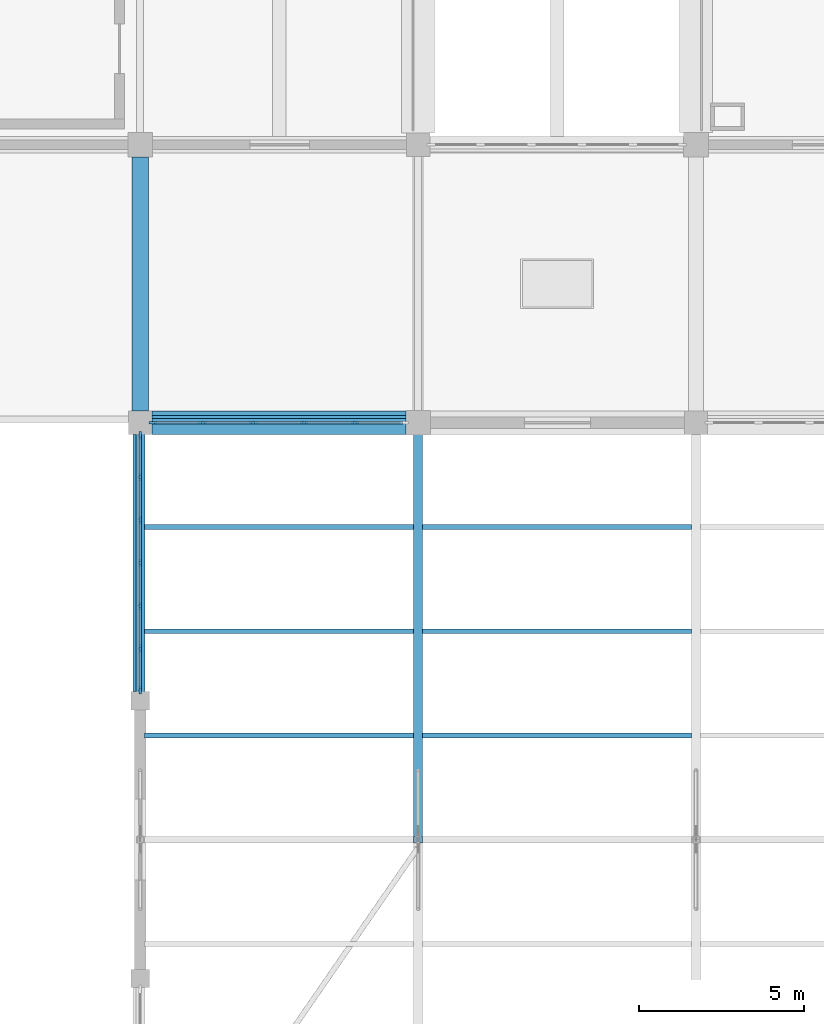
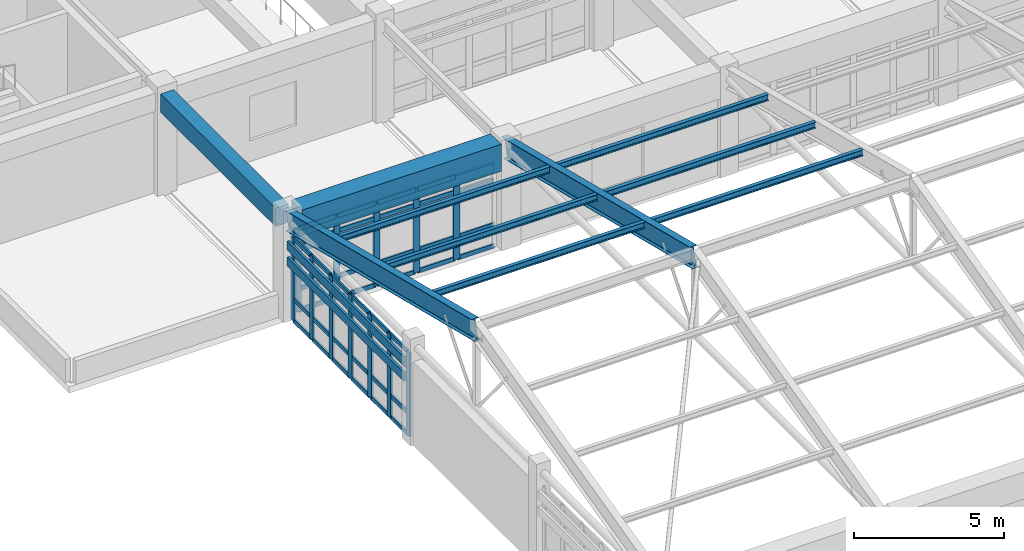
# One storey, part 15 of 99: 64 members, 4 beams, 2 elements without a shape of their own.
"""IFC4 building model written with IfcOpenShell, lengths in metres."""

from ifc_helpers import new_model, si_unit, direction, frame, origin, origin_2d, place, context, subcontext, project, spatial, rectangle, i_section, extrude, material, layer, layer_set, material_profile, profile_set, type_object, element, aggregate, save


model = new_model("IFC4")

# Units and contexts
model_context = context("Model", 3, precision=1e-05, world=origin(), true_north=direction((0.0, 1.0)))
body_context = subcontext(model_context, "Body", "Model", "MODEL_VIEW")
ifc_project = project(units=[si_unit("LENGTHUNIT", "METRE"), si_unit("AREAUNIT", "SQUARE_METRE"), si_unit("VOLUMEUNIT", "CUBIC_METRE"), si_unit("PLANEANGLEUNIT", "RADIAN"), si_unit("MASSUNIT", "GRAM", prefix="KILO")], contexts=[model_context])

# Site, building, storey
site_placement = place(None, origin())
site = spatial("IfcSite", under=ifc_project, at=site_placement, CompositionType="ELEMENT")
building_placement = place(site_placement, origin())
building = spatial("IfcBuilding", under=site, at=building_placement, Name="Porcellanite Civic Hall", CompositionType="ELEMENT")
storey_placement = place(building_placement, frame((0.0, 0.0, 5.760009765625)))
storey = spatial("IfcBuildingStorey", under=building, at=storey_placement, Name="L01", CompositionType="ELEMENT", Elevation=5.760009765625)

# Beam
ifc_material_1 = material(Name="Concrete N50 (50 MPa)", Category="concrete")
ifc_material_profile_1 = material_profile(ifc_material_1, rectangle(XDim=0.5, YDim=0.75, at=origin_2d()), Name="RC-500x750")
ifc_profile_set_1 = profile_set([ifc_material_profile_1], Name="Concrete N50 (50 MPa)")
beam_type_1 = type_object("IfcBeamType", Name="BM-RC750", PredefinedType="SPANDREL", material=ifc_profile_set_1)
beam_1_placement = place(storey_placement, frame((67.199951171875, 42.349609375, 3.824951171875), z_axis=(0.0, 1.0, 0.0), x_axis=(-1.0, 0.0, 0.0)))
element("IfcBeam", 1, at=beam_1_placement, inside=storey, type_object=beam_type_1, Name="Beam Y L01 9-6", PredefinedType="SPANDREL", context=body_context, shape_type="SweptSolid", body=[
    extrude(rectangle(XDim=0.5, YDim=0.75, at=origin_2d()), origin(), (0.0, 0.0, 1.0), 7.67578125),
])

# Curtain wall, members
ifc_material_2 = material(Name="Anodised aluminium and solar laminated glass", Category="aluminium")
ifc_layer = layer(ifc_material_2, 0.179931640625)
ifc_layer_set = layer_set([ifc_layer], Name="Anodised aluminium and solar laminated glass")
curtain_wall_type = type_object("IfcCurtainWallType", Name="CW-SYS01", PredefinedType="NOTDEFINED", material=ifc_layer_set)
curtain_wall_1_placement = place(storey_placement, origin())
curtain_wall_1 = element("IfcCurtainWall", 2, at=curtain_wall_1_placement, inside=storey, type_object=curtain_wall_type, Name="Curtain wall CW-090", PredefinedType="NOTDEFINED")
ifc_material_3 = material(Name="Anodised aluminium 6063-T6", Category="aluminium")
ifc_material_profile_2 = material_profile(ifc_material_3, rectangle(XDim=0.080078125, YDim=0.239990234375, at=origin_2d()), Name="AL-80x240")
ifc_profile_set_2 = profile_set([ifc_material_profile_2], Name="Anodised aluminium 6063-T6")
member_type_1 = type_object("IfcMemberType", Name="CWM-01", PredefinedType="MULLION", material=ifc_profile_set_2)
member_1_placement = place(storey_placement, frame((67.199951171875, 33.916015625, 0.0), z_axis=(0.0, 0.0, 1.0), x_axis=(-1.0, 0.0, 0.0)))
member_1 = element("IfcMember", 3, at=member_1_placement, type_object=member_type_1, Name="CW-090 mullion 1", PredefinedType="MULLION", context=body_context, shape_type="SweptSolid", body=[
    extrude(rectangle(XDim=0.080078125, YDim=0.239990234375, at=origin_2d()), origin(), (0.0, 0.0, 1.0), 3.39990234375),
])
member_2_placement = place(storey_placement, frame((67.199951171875, 35.17138671875, 0.0), z_axis=(0.0, 0.0, 1.0), x_axis=(-1.0, 0.0, 0.0)))
member_2 = element("IfcMember", 4, at=member_2_placement, type_object=member_type_1, Name="CW-090 mullion 2", PredefinedType="MULLION", context=body_context, shape_type="SweptSolid", body=[
    extrude(rectangle(XDim=0.080078125, YDim=0.239990234375, at=origin_2d()), origin(), (0.0, 0.0, 1.0), 3.39990234375),
])
member_3_placement = place(storey_placement, frame((67.199951171875, 36.467041015625, 0.0), z_axis=(0.0, 0.0, 1.0), x_axis=(-1.0, 0.0, 0.0)))
member_3 = element("IfcMember", 5, at=member_3_placement, type_object=member_type_1, Name="CW-090 mullion 3", PredefinedType="MULLION", context=body_context, shape_type="SweptSolid", body=[
    extrude(rectangle(XDim=0.080078125, YDim=0.239990234375, at=origin_2d()), origin(), (0.0, 0.0, 1.0), 3.39990234375),
])
member_4_placement = place(storey_placement, frame((67.199951171875, 37.762451171875, 0.0), z_axis=(0.0, 0.0, 1.0), x_axis=(-1.0, 0.0, 0.0)))
member_4 = element("IfcMember", 6, at=member_4_placement, type_object=member_type_1, Name="CW-090 mullion 4", PredefinedType="MULLION", context=body_context, shape_type="SweptSolid", body=[
    extrude(rectangle(XDim=0.080078125, YDim=0.239990234375, at=origin_2d()), origin(), (0.0, 0.0, 1.0), 3.39990234375),
])
member_5_placement = place(storey_placement, frame((67.199951171875, 39.05810546875, 0.0), z_axis=(0.0, 0.0, 1.0), x_axis=(-1.0, 0.0, 0.0)))
member_5 = element("IfcMember", 7, at=member_5_placement, type_object=member_type_1, Name="CW-090 mullion 5", PredefinedType="MULLION", context=body_context, shape_type="SweptSolid", body=[
    extrude(rectangle(XDim=0.080078125, YDim=0.239990234375, at=origin_2d()), origin(), (0.0, 0.0, 1.0), 3.39990234375),
])
member_6_placement = place(storey_placement, frame((67.199951171875, 40.353515625, 0.0), z_axis=(0.0, 0.0, 1.0), x_axis=(-1.0, 0.0, 0.0)))
member_6 = element("IfcMember", 8, at=member_6_placement, type_object=member_type_1, Name="CW-090 mullion 6", PredefinedType="MULLION", context=body_context, shape_type="SweptSolid", body=[
    extrude(rectangle(XDim=0.080078125, YDim=0.239990234375, at=origin_2d()), origin(), (0.0, 0.0, 1.0), 3.39990234375),
])
member_7_placement = place(storey_placement, frame((67.199951171875, 41.60888671875, 0.0), z_axis=(0.0, 0.0, 1.0), x_axis=(-1.0, 0.0, 0.0)))
member_7 = element("IfcMember", 9, at=member_7_placement, type_object=member_type_1, Name="CW-090 mullion 7", PredefinedType="MULLION", context=body_context, shape_type="SweptSolid", body=[
    extrude(rectangle(XDim=0.080078125, YDim=0.239990234375, at=origin_2d()), origin(), (0.0, 0.0, 1.0), 3.39990234375),
])

curtain_wall_2_placement = place(storey_placement, origin())
curtain_wall_2 = element("IfcCurtainWall", 10, at=curtain_wall_2_placement, inside=storey, type_object=curtain_wall_type, Name="Curtain wall CW-091", PredefinedType="NOTDEFINED")
member_8_placement = place(storey_placement, frame((67.591064453125, 42.0, 0.0), z_axis=(0.0, 0.0, 1.0), x_axis=(0.0, 1.0, 0.0)))
member_8 = element("IfcMember", 11, at=member_8_placement, type_object=member_type_1, Name="CW-091 mullion 1", PredefinedType="MULLION", context=body_context, shape_type="SweptSolid", body=[
    extrude(rectangle(XDim=0.080078125, YDim=0.239990234375, at=origin_2d()), origin(), (0.0, 0.0, 1.0), 3.39990234375),
])
member_9_placement = place(storey_placement, frame((69.085693359375, 42.0, 0.0), z_axis=(0.0, 0.0, 1.0), x_axis=(0.0, 1.0, 0.0)))
member_9 = element("IfcMember", 12, at=member_9_placement, type_object=member_type_1, Name="CW-091 mullion 2", PredefinedType="MULLION", context=body_context, shape_type="SweptSolid", body=[
    extrude(rectangle(XDim=0.080078125, YDim=0.239990234375, at=origin_2d()), origin(), (0.0, 0.0, 1.0), 3.39990234375),
])
member_10_placement = place(storey_placement, frame((70.6201171875, 42.0, 0.0), z_axis=(0.0, 0.0, 1.0), x_axis=(0.0, 1.0, 0.0)))
member_10 = element("IfcMember", 13, at=member_10_placement, type_object=member_type_1, Name="CW-091 mullion 3", PredefinedType="MULLION", context=body_context, shape_type="SweptSolid", body=[
    extrude(rectangle(XDim=0.080078125, YDim=0.239990234375, at=origin_2d()), origin(), (0.0, 0.0, 1.0), 3.39990234375),
])
member_11_placement = place(storey_placement, frame((72.15478515625, 42.0, 0.0), z_axis=(0.0, 0.0, 1.0), x_axis=(0.0, 1.0, 0.0)))
member_11 = element("IfcMember", 14, at=member_11_placement, type_object=member_type_1, Name="CW-091 mullion 4", PredefinedType="MULLION", context=body_context, shape_type="SweptSolid", body=[
    extrude(rectangle(XDim=0.080078125, YDim=0.239990234375, at=origin_2d()), origin(), (0.0, 0.0, 1.0), 3.39990234375),
])
member_12_placement = place(storey_placement, frame((73.689453125, 42.0, 0.0), z_axis=(0.0, 0.0, 1.0), x_axis=(0.0, 1.0, 0.0)))
member_12 = element("IfcMember", 15, at=member_12_placement, type_object=member_type_1, Name="CW-091 mullion 5", PredefinedType="MULLION", context=body_context, shape_type="SweptSolid", body=[
    extrude(rectangle(XDim=0.080078125, YDim=0.239990234375, at=origin_2d()), origin(), (0.0, 0.0, 1.0), 3.39990234375),
])

# Member
ifc_material_4 = material(Name="Anodised aluminium 6063-T6", Category="aluminium")
ifc_material_profile_3 = material_profile(ifc_material_4, rectangle(XDim=0.070068359375, YDim=0.175048828125, at=origin_2d()), Name="AL-70x175")
ifc_profile_set_3 = profile_set([ifc_material_profile_3], Name="Anodised aluminium 6063-T6")
member_type_2 = type_object("IfcMemberType", Name="CWT-01", PredefinedType="USERDEFINED", material=ifc_profile_set_3)
member_13_placement = place(storey_placement, frame((67.199951171875, 33.9560546875, 0.034912109375), z_axis=(0.0, 1.0, 0.0), x_axis=(-1.0, 0.0, 0.0)))
member_13 = element("IfcMember", 16, at=member_13_placement, type_object=member_type_2, Name="CW-090 transom 1.1", ObjectType="TRANSOM", PredefinedType="USERDEFINED", context=body_context, shape_type="SweptSolid", body=[
    extrude(rectangle(XDim=0.070068359375, YDim=0.175048828125, at=origin_2d()), origin(), (0.0, 0.0, 1.0), 1.175537109375),
])

member_14_placement = place(storey_placement, frame((67.199951171875, 33.9560546875, 0.89990234375), z_axis=(0.0, 1.0, 0.0), x_axis=(-1.0, 0.0, 0.0)))
member_14 = element("IfcMember", 17, at=member_14_placement, type_object=member_type_2, Name="CW-090 transom 1.2", ObjectType="TRANSOM", PredefinedType="USERDEFINED", context=body_context, shape_type="SweptSolid", body=[
    extrude(rectangle(XDim=0.070068359375, YDim=0.175048828125, at=origin_2d()), origin(), (0.0, 0.0, 1.0), 1.175537109375),
])

member_15_placement = place(storey_placement, frame((67.199951171875, 33.9560546875, 2.75), z_axis=(0.0, 1.0, 0.0), x_axis=(-1.0, 0.0, 0.0)))
member_15 = element("IfcMember", 18, at=member_15_placement, type_object=member_type_2, Name="CW-090 transom 1.3", ObjectType="TRANSOM", PredefinedType="USERDEFINED", context=body_context, shape_type="SweptSolid", body=[
    extrude(rectangle(XDim=0.070068359375, YDim=0.175048828125, at=origin_2d()), origin(), (0.0, 0.0, 1.0), 1.175537109375),
])

member_16_placement = place(storey_placement, frame((67.199951171875, 33.9560546875, 3.364990234375), z_axis=(0.0, 1.0, 0.0), x_axis=(-1.0, 0.0, 0.0)))
member_16 = element("IfcMember", 19, at=member_16_placement, type_object=member_type_2, Name="CW-090 transom 1.4", ObjectType="TRANSOM", PredefinedType="USERDEFINED", context=body_context, shape_type="SweptSolid", body=[
    extrude(rectangle(XDim=0.070068359375, YDim=0.175048828125, at=origin_2d()), origin(), (0.0, 0.0, 1.0), 1.175537109375),
])

member_17_placement = place(storey_placement, frame((67.199951171875, 35.21142578125, 0.034912109375), z_axis=(0.0, 1.0, 0.0), x_axis=(-1.0, 0.0, 0.0)))
member_17 = element("IfcMember", 20, at=member_17_placement, type_object=member_type_2, Name="CW-090 transom 2.1", ObjectType="TRANSOM", PredefinedType="USERDEFINED", context=body_context, shape_type="SweptSolid", body=[
    extrude(rectangle(XDim=0.070068359375, YDim=0.175048828125, at=origin_2d()), origin(), (0.0, 0.0, 1.0), 1.215576171875),
])

member_18_placement = place(storey_placement, frame((67.199951171875, 35.21142578125, 0.89990234375), z_axis=(0.0, 1.0, 0.0), x_axis=(-1.0, 0.0, 0.0)))
member_18 = element("IfcMember", 21, at=member_18_placement, type_object=member_type_2, Name="CW-090 transom 2.2", ObjectType="TRANSOM", PredefinedType="USERDEFINED", context=body_context, shape_type="SweptSolid", body=[
    extrude(rectangle(XDim=0.070068359375, YDim=0.175048828125, at=origin_2d()), origin(), (0.0, 0.0, 1.0), 1.215576171875),
])

member_19_placement = place(storey_placement, frame((67.199951171875, 35.21142578125, 2.75), z_axis=(0.0, 1.0, 0.0), x_axis=(-1.0, 0.0, 0.0)))
member_19 = element("IfcMember", 22, at=member_19_placement, type_object=member_type_2, Name="CW-090 transom 2.3", ObjectType="TRANSOM", PredefinedType="USERDEFINED", context=body_context, shape_type="SweptSolid", body=[
    extrude(rectangle(XDim=0.070068359375, YDim=0.175048828125, at=origin_2d()), origin(), (0.0, 0.0, 1.0), 1.215576171875),
])

member_20_placement = place(storey_placement, frame((67.199951171875, 35.21142578125, 3.364990234375), z_axis=(0.0, 1.0, 0.0), x_axis=(-1.0, 0.0, 0.0)))
member_20 = element("IfcMember", 23, at=member_20_placement, type_object=member_type_2, Name="CW-090 transom 2.4", ObjectType="TRANSOM", PredefinedType="USERDEFINED", context=body_context, shape_type="SweptSolid", body=[
    extrude(rectangle(XDim=0.070068359375, YDim=0.175048828125, at=origin_2d()), origin(), (0.0, 0.0, 1.0), 1.215576171875),
])

member_21_placement = place(storey_placement, frame((67.199951171875, 36.507080078125, 0.034912109375), z_axis=(0.0, 1.0, 0.0), x_axis=(-1.0, 0.0, 0.0)))
member_21 = element("IfcMember", 24, at=member_21_placement, type_object=member_type_2, Name="CW-090 transom 3.1", ObjectType="TRANSOM", PredefinedType="USERDEFINED", context=body_context, shape_type="SweptSolid", body=[
    extrude(rectangle(XDim=0.070068359375, YDim=0.175048828125, at=origin_2d()), origin(), (0.0, 0.0, 1.0), 1.21533203125),
])

member_22_placement = place(storey_placement, frame((67.199951171875, 36.507080078125, 0.89990234375), z_axis=(0.0, 1.0, 0.0), x_axis=(-1.0, 0.0, 0.0)))
member_22 = element("IfcMember", 25, at=member_22_placement, type_object=member_type_2, Name="CW-090 transom 3.2", ObjectType="TRANSOM", PredefinedType="USERDEFINED", context=body_context, shape_type="SweptSolid", body=[
    extrude(rectangle(XDim=0.070068359375, YDim=0.175048828125, at=origin_2d()), origin(), (0.0, 0.0, 1.0), 1.21533203125),
])

member_23_placement = place(storey_placement, frame((67.199951171875, 36.507080078125, 2.75), z_axis=(0.0, 1.0, 0.0), x_axis=(-1.0, 0.0, 0.0)))
member_23 = element("IfcMember", 26, at=member_23_placement, type_object=member_type_2, Name="CW-090 transom 3.3", ObjectType="TRANSOM", PredefinedType="USERDEFINED", context=body_context, shape_type="SweptSolid", body=[
    extrude(rectangle(XDim=0.070068359375, YDim=0.175048828125, at=origin_2d()), origin(), (0.0, 0.0, 1.0), 1.21533203125),
])

member_24_placement = place(storey_placement, frame((67.199951171875, 36.507080078125, 3.364990234375), z_axis=(0.0, 1.0, 0.0), x_axis=(-1.0, 0.0, 0.0)))
member_24 = element("IfcMember", 27, at=member_24_placement, type_object=member_type_2, Name="CW-090 transom 3.4", ObjectType="TRANSOM", PredefinedType="USERDEFINED", context=body_context, shape_type="SweptSolid", body=[
    extrude(rectangle(XDim=0.070068359375, YDim=0.175048828125, at=origin_2d()), origin(), (0.0, 0.0, 1.0), 1.21533203125),
])

member_25_placement = place(storey_placement, frame((67.199951171875, 37.802490234375, 0.034912109375), z_axis=(0.0, 1.0, 0.0), x_axis=(-1.0, 0.0, 0.0)))
member_25 = element("IfcMember", 28, at=member_25_placement, type_object=member_type_2, Name="CW-090 transom 4.1", ObjectType="TRANSOM", PredefinedType="USERDEFINED", context=body_context, shape_type="SweptSolid", body=[
    extrude(rectangle(XDim=0.070068359375, YDim=0.175048828125, at=origin_2d()), origin(), (0.0, 0.0, 1.0), 1.215576171875),
])

member_26_placement = place(storey_placement, frame((67.199951171875, 37.802490234375, 0.89990234375), z_axis=(0.0, 1.0, 0.0), x_axis=(-1.0, 0.0, 0.0)))
member_26 = element("IfcMember", 29, at=member_26_placement, type_object=member_type_2, Name="CW-090 transom 4.2", ObjectType="TRANSOM", PredefinedType="USERDEFINED", context=body_context, shape_type="SweptSolid", body=[
    extrude(rectangle(XDim=0.070068359375, YDim=0.175048828125, at=origin_2d()), origin(), (0.0, 0.0, 1.0), 1.215576171875),
])

member_27_placement = place(storey_placement, frame((67.199951171875, 37.802490234375, 2.75), z_axis=(0.0, 1.0, 0.0), x_axis=(-1.0, 0.0, 0.0)))
member_27 = element("IfcMember", 30, at=member_27_placement, type_object=member_type_2, Name="CW-090 transom 4.3", ObjectType="TRANSOM", PredefinedType="USERDEFINED", context=body_context, shape_type="SweptSolid", body=[
    extrude(rectangle(XDim=0.070068359375, YDim=0.175048828125, at=origin_2d()), origin(), (0.0, 0.0, 1.0), 1.215576171875),
])

member_28_placement = place(storey_placement, frame((67.199951171875, 37.802490234375, 3.364990234375), z_axis=(0.0, 1.0, 0.0), x_axis=(-1.0, 0.0, 0.0)))
member_28 = element("IfcMember", 31, at=member_28_placement, type_object=member_type_2, Name="CW-090 transom 4.4", ObjectType="TRANSOM", PredefinedType="USERDEFINED", context=body_context, shape_type="SweptSolid", body=[
    extrude(rectangle(XDim=0.070068359375, YDim=0.175048828125, at=origin_2d()), origin(), (0.0, 0.0, 1.0), 1.215576171875),
])

member_29_placement = place(storey_placement, frame((67.199951171875, 39.097900390625, 0.034912109375), z_axis=(0.0, 1.0, 0.0), x_axis=(-1.0, 0.0, 0.0)))
member_29 = element("IfcMember", 32, at=member_29_placement, type_object=member_type_2, Name="CW-090 transom 5.1", ObjectType="TRANSOM", PredefinedType="USERDEFINED", context=body_context, shape_type="SweptSolid", body=[
    extrude(rectangle(XDim=0.070068359375, YDim=0.175048828125, at=origin_2d()), origin(), (0.0, 0.0, 1.0), 1.215576171875),
])

member_30_placement = place(storey_placement, frame((67.199951171875, 39.097900390625, 0.89990234375), z_axis=(0.0, 1.0, 0.0), x_axis=(-1.0, 0.0, 0.0)))
member_30 = element("IfcMember", 33, at=member_30_placement, type_object=member_type_2, Name="CW-090 transom 5.2", ObjectType="TRANSOM", PredefinedType="USERDEFINED", context=body_context, shape_type="SweptSolid", body=[
    extrude(rectangle(XDim=0.070068359375, YDim=0.175048828125, at=origin_2d()), origin(), (0.0, 0.0, 1.0), 1.215576171875),
])

member_31_placement = place(storey_placement, frame((67.199951171875, 39.097900390625, 2.75), z_axis=(0.0, 1.0, 0.0), x_axis=(-1.0, 0.0, 0.0)))
member_31 = element("IfcMember", 34, at=member_31_placement, type_object=member_type_2, Name="CW-090 transom 5.3", ObjectType="TRANSOM", PredefinedType="USERDEFINED", context=body_context, shape_type="SweptSolid", body=[
    extrude(rectangle(XDim=0.070068359375, YDim=0.175048828125, at=origin_2d()), origin(), (0.0, 0.0, 1.0), 1.215576171875),
])

member_32_placement = place(storey_placement, frame((67.199951171875, 39.097900390625, 3.364990234375), z_axis=(0.0, 1.0, 0.0), x_axis=(-1.0, 0.0, 0.0)))
member_32 = element("IfcMember", 35, at=member_32_placement, type_object=member_type_2, Name="CW-090 transom 5.4", ObjectType="TRANSOM", PredefinedType="USERDEFINED", context=body_context, shape_type="SweptSolid", body=[
    extrude(rectangle(XDim=0.070068359375, YDim=0.175048828125, at=origin_2d()), origin(), (0.0, 0.0, 1.0), 1.215576171875),
])

member_33_placement = place(storey_placement, frame((67.199951171875, 40.3935546875, 0.034912109375), z_axis=(0.0, 1.0, 0.0), x_axis=(-1.0, 0.0, 0.0)))
member_33 = element("IfcMember", 36, at=member_33_placement, type_object=member_type_2, Name="CW-090 transom 6.1", ObjectType="TRANSOM", PredefinedType="USERDEFINED", context=body_context, shape_type="SweptSolid", body=[
    extrude(rectangle(XDim=0.070068359375, YDim=0.175048828125, at=origin_2d()), origin(), (0.0, 0.0, 1.0), 1.175537109375),
])

member_34_placement = place(storey_placement, frame((67.199951171875, 40.3935546875, 0.89990234375), z_axis=(0.0, 1.0, 0.0), x_axis=(-1.0, 0.0, 0.0)))
member_34 = element("IfcMember", 37, at=member_34_placement, type_object=member_type_2, Name="CW-090 transom 6.2", ObjectType="TRANSOM", PredefinedType="USERDEFINED", context=body_context, shape_type="SweptSolid", body=[
    extrude(rectangle(XDim=0.070068359375, YDim=0.175048828125, at=origin_2d()), origin(), (0.0, 0.0, 1.0), 1.175537109375),
])

member_35_placement = place(storey_placement, frame((67.199951171875, 40.3935546875, 2.75), z_axis=(0.0, 1.0, 0.0), x_axis=(-1.0, 0.0, 0.0)))
member_35 = element("IfcMember", 38, at=member_35_placement, type_object=member_type_2, Name="CW-090 transom 6.3", ObjectType="TRANSOM", PredefinedType="USERDEFINED", context=body_context, shape_type="SweptSolid", body=[
    extrude(rectangle(XDim=0.070068359375, YDim=0.175048828125, at=origin_2d()), origin(), (0.0, 0.0, 1.0), 1.175537109375),
])

member_36_placement = place(storey_placement, frame((67.199951171875, 40.3935546875, 3.364990234375), z_axis=(0.0, 1.0, 0.0), x_axis=(-1.0, 0.0, 0.0)))
member_36 = element("IfcMember", 39, at=member_36_placement, type_object=member_type_2, Name="CW-090 transom 6.4", ObjectType="TRANSOM", PredefinedType="USERDEFINED", context=body_context, shape_type="SweptSolid", body=[
    extrude(rectangle(XDim=0.070068359375, YDim=0.175048828125, at=origin_2d()), origin(), (0.0, 0.0, 1.0), 1.175537109375),
])

aggregate(curtain_wall_1, [member_1, member_2, member_3, member_4, member_5, member_6, member_7, member_13, member_14, member_15, member_16, member_17, member_18, member_19, member_20, member_21, member_22, member_23, member_24, member_25, member_26, member_27, member_28, member_29, member_30, member_31, member_32, member_33, member_34, member_35, member_36])

member_37_placement = place(storey_placement, frame((67.631103515625, 42.0, 0.034912109375), z_axis=(1.0, 0.0, 0.0), x_axis=(0.0, 1.0, 0.0)))
member_37 = element("IfcMember", 40, at=member_37_placement, type_object=member_type_2, Name="CW-091 transom 1.1", ObjectType="TRANSOM", PredefinedType="USERDEFINED", context=body_context, shape_type="SweptSolid", body=[
    extrude(rectangle(XDim=0.070068359375, YDim=0.175048828125, at=origin_2d()), origin(), (0.0, 0.0, 1.0), 1.41455078125),
])

member_38_placement = place(storey_placement, frame((67.631103515625, 42.0, 0.89990234375), z_axis=(1.0, 0.0, 0.0), x_axis=(0.0, 1.0, 0.0)))
member_38 = element("IfcMember", 41, at=member_38_placement, type_object=member_type_2, Name="CW-091 transom 1.2", ObjectType="TRANSOM", PredefinedType="USERDEFINED", context=body_context, shape_type="SweptSolid", body=[
    extrude(rectangle(XDim=0.070068359375, YDim=0.175048828125, at=origin_2d()), origin(), (0.0, 0.0, 1.0), 1.41455078125),
])

member_39_placement = place(storey_placement, frame((67.631103515625, 42.0, 2.75), z_axis=(1.0, 0.0, 0.0), x_axis=(0.0, 1.0, 0.0)))
member_39 = element("IfcMember", 42, at=member_39_placement, type_object=member_type_2, Name="CW-091 transom 1.3", ObjectType="TRANSOM", PredefinedType="USERDEFINED", context=body_context, shape_type="SweptSolid", body=[
    extrude(rectangle(XDim=0.070068359375, YDim=0.175048828125, at=origin_2d()), origin(), (0.0, 0.0, 1.0), 1.41455078125),
])

member_40_placement = place(storey_placement, frame((67.631103515625, 42.0, 3.364990234375), z_axis=(1.0, 0.0, 0.0), x_axis=(0.0, 1.0, 0.0)))
member_40 = element("IfcMember", 43, at=member_40_placement, type_object=member_type_2, Name="CW-091 transom 1.4", ObjectType="TRANSOM", PredefinedType="USERDEFINED", context=body_context, shape_type="SweptSolid", body=[
    extrude(rectangle(XDim=0.070068359375, YDim=0.175048828125, at=origin_2d()), origin(), (0.0, 0.0, 1.0), 1.41455078125),
])

member_41_placement = place(storey_placement, frame((69.12548828125, 42.0, 0.034912109375), z_axis=(1.0, 0.0, 0.0), x_axis=(0.0, 1.0, 0.0)))
member_41 = element("IfcMember", 44, at=member_41_placement, type_object=member_type_2, Name="CW-091 transom 2.1", ObjectType="TRANSOM", PredefinedType="USERDEFINED", context=body_context, shape_type="SweptSolid", body=[
    extrude(rectangle(XDim=0.070068359375, YDim=0.175048828125, at=origin_2d()), origin(), (0.0, 0.0, 1.0), 1.45458984375),
])

member_42_placement = place(storey_placement, frame((69.12548828125, 42.0, 0.89990234375), z_axis=(1.0, 0.0, 0.0), x_axis=(0.0, 1.0, 0.0)))
member_42 = element("IfcMember", 45, at=member_42_placement, type_object=member_type_2, Name="CW-091 transom 2.2", ObjectType="TRANSOM", PredefinedType="USERDEFINED", context=body_context, shape_type="SweptSolid", body=[
    extrude(rectangle(XDim=0.070068359375, YDim=0.175048828125, at=origin_2d()), origin(), (0.0, 0.0, 1.0), 1.45458984375),
])

member_43_placement = place(storey_placement, frame((69.12548828125, 42.0, 2.75), z_axis=(1.0, 0.0, 0.0), x_axis=(0.0, 1.0, 0.0)))
member_43 = element("IfcMember", 46, at=member_43_placement, type_object=member_type_2, Name="CW-091 transom 2.3", ObjectType="TRANSOM", PredefinedType="USERDEFINED", context=body_context, shape_type="SweptSolid", body=[
    extrude(rectangle(XDim=0.070068359375, YDim=0.175048828125, at=origin_2d()), origin(), (0.0, 0.0, 1.0), 1.45458984375),
])

member_44_placement = place(storey_placement, frame((69.12548828125, 42.0, 3.364990234375), z_axis=(1.0, 0.0, 0.0), x_axis=(0.0, 1.0, 0.0)))
member_44 = element("IfcMember", 47, at=member_44_placement, type_object=member_type_2, Name="CW-091 transom 2.4", ObjectType="TRANSOM", PredefinedType="USERDEFINED", context=body_context, shape_type="SweptSolid", body=[
    extrude(rectangle(XDim=0.070068359375, YDim=0.175048828125, at=origin_2d()), origin(), (0.0, 0.0, 1.0), 1.45458984375),
])

member_45_placement = place(storey_placement, frame((70.66015625, 42.0, 0.034912109375), z_axis=(1.0, 0.0, 0.0), x_axis=(0.0, 1.0, 0.0)))
member_45 = element("IfcMember", 48, at=member_45_placement, type_object=member_type_2, Name="CW-091 transom 3.1", ObjectType="TRANSOM", PredefinedType="USERDEFINED", context=body_context, shape_type="SweptSolid", body=[
    extrude(rectangle(XDim=0.070068359375, YDim=0.175048828125, at=origin_2d()), origin(), (0.0, 0.0, 1.0), 1.45458984375),
])

member_46_placement = place(storey_placement, frame((70.66015625, 42.0, 0.89990234375), z_axis=(1.0, 0.0, 0.0), x_axis=(0.0, 1.0, 0.0)))
member_46 = element("IfcMember", 49, at=member_46_placement, type_object=member_type_2, Name="CW-091 transom 3.2", ObjectType="TRANSOM", PredefinedType="USERDEFINED", context=body_context, shape_type="SweptSolid", body=[
    extrude(rectangle(XDim=0.070068359375, YDim=0.175048828125, at=origin_2d()), origin(), (0.0, 0.0, 1.0), 1.45458984375),
])

member_47_placement = place(storey_placement, frame((70.66015625, 42.0, 2.75), z_axis=(1.0, 0.0, 0.0), x_axis=(0.0, 1.0, 0.0)))
member_47 = element("IfcMember", 50, at=member_47_placement, type_object=member_type_2, Name="CW-091 transom 3.3", ObjectType="TRANSOM", PredefinedType="USERDEFINED", context=body_context, shape_type="SweptSolid", body=[
    extrude(rectangle(XDim=0.070068359375, YDim=0.175048828125, at=origin_2d()), origin(), (0.0, 0.0, 1.0), 1.45458984375),
])

member_48_placement = place(storey_placement, frame((70.66015625, 42.0, 3.364990234375), z_axis=(1.0, 0.0, 0.0), x_axis=(0.0, 1.0, 0.0)))
member_48 = element("IfcMember", 51, at=member_48_placement, type_object=member_type_2, Name="CW-091 transom 3.4", ObjectType="TRANSOM", PredefinedType="USERDEFINED", context=body_context, shape_type="SweptSolid", body=[
    extrude(rectangle(XDim=0.070068359375, YDim=0.175048828125, at=origin_2d()), origin(), (0.0, 0.0, 1.0), 1.45458984375),
])

member_49_placement = place(storey_placement, frame((72.19482421875, 42.0, 0.034912109375), z_axis=(1.0, 0.0, 0.0), x_axis=(0.0, 1.0, 0.0)))
member_49 = element("IfcMember", 52, at=member_49_placement, type_object=member_type_2, Name="CW-091 transom 4.1", ObjectType="TRANSOM", PredefinedType="USERDEFINED", context=body_context, shape_type="SweptSolid", body=[
    extrude(rectangle(XDim=0.070068359375, YDim=0.175048828125, at=origin_2d()), origin(), (0.0, 0.0, 1.0), 1.45458984375),
])

member_50_placement = place(storey_placement, frame((72.19482421875, 42.0, 0.89990234375), z_axis=(1.0, 0.0, 0.0), x_axis=(0.0, 1.0, 0.0)))
member_50 = element("IfcMember", 53, at=member_50_placement, type_object=member_type_2, Name="CW-091 transom 4.2", ObjectType="TRANSOM", PredefinedType="USERDEFINED", context=body_context, shape_type="SweptSolid", body=[
    extrude(rectangle(XDim=0.070068359375, YDim=0.175048828125, at=origin_2d()), origin(), (0.0, 0.0, 1.0), 1.45458984375),
])

member_51_placement = place(storey_placement, frame((72.19482421875, 42.0, 2.75), z_axis=(1.0, 0.0, 0.0), x_axis=(0.0, 1.0, 0.0)))
member_51 = element("IfcMember", 54, at=member_51_placement, type_object=member_type_2, Name="CW-091 transom 4.3", ObjectType="TRANSOM", PredefinedType="USERDEFINED", context=body_context, shape_type="SweptSolid", body=[
    extrude(rectangle(XDim=0.070068359375, YDim=0.175048828125, at=origin_2d()), origin(), (0.0, 0.0, 1.0), 1.45458984375),
])

member_52_placement = place(storey_placement, frame((72.19482421875, 42.0, 3.364990234375), z_axis=(1.0, 0.0, 0.0), x_axis=(0.0, 1.0, 0.0)))
member_52 = element("IfcMember", 55, at=member_52_placement, type_object=member_type_2, Name="CW-091 transom 4.4", ObjectType="TRANSOM", PredefinedType="USERDEFINED", context=body_context, shape_type="SweptSolid", body=[
    extrude(rectangle(XDim=0.070068359375, YDim=0.175048828125, at=origin_2d()), origin(), (0.0, 0.0, 1.0), 1.45458984375),
])

member_53_placement = place(storey_placement, frame((73.7294921875, 42.0, 0.034912109375), z_axis=(1.0, 0.0, 0.0), x_axis=(0.0, 1.0, 0.0)))
member_53 = element("IfcMember", 56, at=member_53_placement, type_object=member_type_2, Name="CW-091 transom 5.1", ObjectType="TRANSOM", PredefinedType="USERDEFINED", context=body_context, shape_type="SweptSolid", body=[
    extrude(rectangle(XDim=0.070068359375, YDim=0.175048828125, at=origin_2d()), origin(), (0.0, 0.0, 1.0), 1.41455078125),
])

member_54_placement = place(storey_placement, frame((73.7294921875, 42.0, 0.89990234375), z_axis=(1.0, 0.0, 0.0), x_axis=(0.0, 1.0, 0.0)))
member_54 = element("IfcMember", 57, at=member_54_placement, type_object=member_type_2, Name="CW-091 transom 5.2", ObjectType="TRANSOM", PredefinedType="USERDEFINED", context=body_context, shape_type="SweptSolid", body=[
    extrude(rectangle(XDim=0.070068359375, YDim=0.175048828125, at=origin_2d()), origin(), (0.0, 0.0, 1.0), 1.41455078125),
])

aggregate(curtain_wall_2, [member_8, member_9, member_10, member_11, member_12, member_37, member_38, member_39, member_40, member_41, member_42, member_43, member_44, member_45, member_46, member_47, member_48, member_49, member_50, member_51, member_52, member_53, member_54])

# Beam
ifc_material_5 = material(Name="Concrete N50 (50 MPa)", Category="concrete")
ifc_material_profile_4 = material_profile(ifc_material_5, rectangle(XDim=0.699951171875, YDim=1.10009765625, at=origin_2d()), Name="RC-700x1100")
ifc_profile_set_4 = profile_set([ifc_material_profile_4], Name="Concrete N50 (50 MPa)")
beam_type_2 = type_object("IfcBeamType", Name="EB-CH2", PredefinedType="BEAM", material=ifc_profile_set_4)
beam_2_placement = place(storey_placement, frame((67.549560546875, 42.0, 3.780029296875), z_axis=(1.0, 0.0, 0.0), x_axis=(0.0, 1.0, 0.0)))
element("IfcBeam", 58, at=beam_2_placement, inside=storey, type_object=beam_type_2, Name="Public Hall edge beam 5 8", PredefinedType="BEAM", context=body_context, shape_type="SweptSolid", body=[
    extrude(rectangle(XDim=0.699951171875, YDim=1.10009765625, at=origin_2d()), origin(), (0.0, 0.0, 1.0), 7.676025390625),
])

# Members
ifc_material_6 = material(Name="Fluoropolymer bauxite-red aluminium 6063-T6", Category="aluminium")
ifc_material_profile_5 = material_profile(ifc_material_6, rectangle(XDim=0.090087890625, YDim=0.360107421875, at=origin_2d()), Name="AL-90x360")
ifc_profile_set_5 = profile_set([ifc_material_profile_5], Name="Fluoropolymer bauxite-red aluminium 6063-T6")
member_type_3 = type_object("IfcMemberType", Name="LV-BLD01", PredefinedType="USERDEFINED", material=ifc_profile_set_5)
for number, where, z_axis, x_axis, name in (
    (59, (67.032958984375, 33.87451171875, 3.10009765625), (0.0, 1.0, 0.0), (-1.0, 0.0, 0.0), "Cyclone sunshade louvre L01 W 8-4 1"),
    (60, (67.032958984375, 33.87451171875, 2.449951171875), (0.0, 1.0, 0.0), (-1.0, 0.0, 0.0), "Cyclone sunshade louvre L01 W 8-4 2"),
):
    element("IfcMember", number, at=place(storey_placement, frame(where, z_axis=z_axis, x_axis=x_axis)), inside=storey, type_object=member_type_3, Name=name, ObjectType="LOUVRE BLADE", PredefinedType="USERDEFINED", context=body_context, shape_type="SweptSolid", body=[
        extrude(rectangle(XDim=0.090087890625, YDim=0.360107421875, at=origin_2d()), origin(), (0.0, 0.0, 1.0), 7.77587890625),
    ])
for number, where, z_axis, x_axis, name in (
    (61, (67.549560546875, 42.1669921875, 3.10009765625), (1.0, 0.0, 0.0), (0.0, 1.0, 0.0), "Cyclone sunshade louvre L01 N 8-4 1"),
    (62, (67.549560546875, 42.1669921875, 2.449951171875), (1.0, 0.0, 0.0), (0.0, 1.0, 0.0), "Cyclone sunshade louvre L01 N 8-4 2"),
):
    element("IfcMember", number, at=place(storey_placement, frame(where, z_axis=z_axis, x_axis=x_axis)), inside=storey, type_object=member_type_3, Name=name, ObjectType="LOUVRE BLADE", PredefinedType="USERDEFINED", context=body_context, shape_type="SweptSolid", body=[
        extrude(rectangle(XDim=0.090087890625, YDim=0.360107421875, at=origin_2d()), origin(), (0.0, 0.0, 1.0), 7.676025390625),
    ])
ifc_material_7 = material(Name="Steel Grade 350", Category="steel")
ifc_material_profile_6 = material_profile(ifc_material_7, i_section(OverallWidth=0.14599609375, OverallDepth=0.251953125, WebThickness=0.006103515625, FlangeThickness=0.008544921875, FilletRadius=0.0087890625, at=origin_2d()), Name="250UB31.4")
ifc_profile_set_6 = profile_set([ifc_material_profile_6], Name="Steel Grade 350")
member_type_4 = type_object("IfcMemberType", Name="PUR-250UB31", PredefinedType="PURLIN", material=ifc_profile_set_6)
for number, where, z_axis, x_axis, name in (
    (63, (67.3369140625, 32.550048828125, 6.52099609375), (1.0, 0.0, 0.0), (0.0, 1.0, 0.0), "Public Hall purlin 8 32.5"),
    (64, (67.3369140625, 35.699951171875, 5.735595703125), (1.0, 0.0, 0.0), (0.0, 1.0, 0.0), "Public Hall purlin 8 35.7"),
    (65, (67.3369140625, 38.85009765625, 4.9501953125), (1.0, 0.0, 0.0), (0.0, 1.0, 0.0), "Public Hall purlin 8 38.9"),
    (66, (75.737060546875, 32.550048828125, 6.52099609375), (1.0, 0.0, 0.0), (0.0, 1.0, 0.0), "Public Hall purlin 9 32.5"),
    (67, (75.737060546875, 35.699951171875, 5.735595703125), (1.0, 0.0, 0.0), (0.0, 1.0, 0.0), "Public Hall purlin 9 35.7"),
    (68, (75.737060546875, 38.85009765625, 4.9501953125), (1.0, 0.0, 0.0), (0.0, 1.0, 0.0), "Public Hall purlin 9 38.9"),
):
    element("IfcMember", number, at=place(storey_placement, frame(where, z_axis=z_axis, x_axis=x_axis)), inside=storey, type_object=member_type_4, Name=name, PredefinedType="PURLIN", context=body_context, shape_type="SweptSolid", body=[
        extrude(i_section(OverallWidth=0.14599609375, OverallDepth=0.251953125, WebThickness=0.006103515625, FlangeThickness=0.008544921875, FilletRadius=0.0087890625, at=origin_2d()), origin(), (0.0, 0.0, 1.0), 8.1259765625),
    ])

# Beams
ifc_material_8 = material(Name="Steel Grade 350", Category="steel")
ifc_material_profile_7 = material_profile(ifc_material_8, i_section(OverallWidth=0.27490234375, OverallDepth=0.800048828125, WebThickness=0.010009765625, FlangeThickness=0.01611328125, FilletRadius=0.013916015625, at=origin_2d()), Name="800WB146")
ifc_profile_set_7 = profile_set([ifc_material_profile_7], Name="Steel Grade 350")
beam_type_3 = type_object("IfcBeamType", Name="RAF-800WB", PredefinedType="BEAM", material=ifc_profile_set_7)
for number, where, z_axis, x_axis, name in (
    (69, (67.199951171875, 29.39990234375, 7.036376953125), (0.0, 0.970294924077, -0.241925113021), (-1.0, 0.0, 0.0), "Public Hall north rafter 8"),
    (70, (75.60009765625, 29.39990234375, 7.036376953125), (0.0, 0.970294924077, -0.241925113021), (-1.0, 0.0, 0.0), "Public Hall north rafter 9"),
):
    element("IfcBeam", number, at=place(storey_placement, frame(where, z_axis=z_axis, x_axis=x_axis)), inside=storey, type_object=beam_type_3, Name=name, PredefinedType="BEAM", context=body_context, shape_type="SweptSolid", body=[
        extrude(i_section(OverallWidth=0.27490234375, OverallDepth=0.800048828125, WebThickness=0.010009765625, FlangeThickness=0.01611328125, FilletRadius=0.013916015625, at=origin_2d()), origin(), (0.0, 0.0, 1.0), 12.98583984375),
    ])

save(model, "model.ifc")
